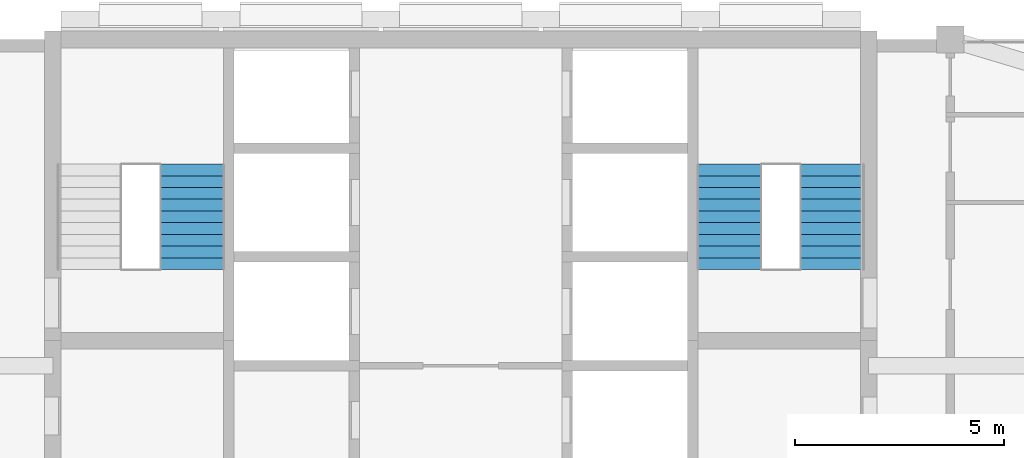
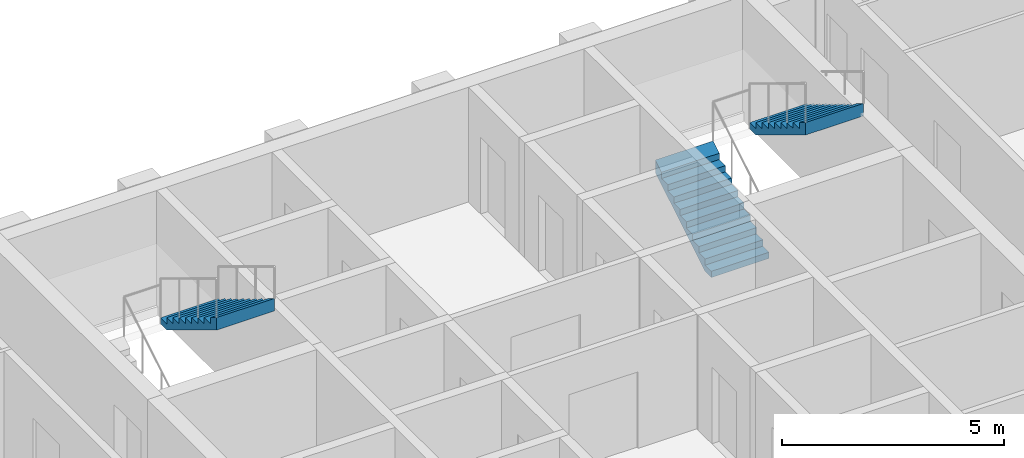
# One storey, part 16 of 19: 3 stair flights, 2 elements without a shape of their own.
"""IFC4 building model written with IfcOpenShell, lengths in metres."""

from ifc_helpers import new_model, si_unit, direction, frame, origin, place, context, subcontext, project, spatial, triangles, material, type_object, element, aggregate, save


model = new_model("IFC4")

# Units and contexts
model_context = context("Model", 3, precision=1e-05, world=origin(), true_north=direction((0.0, 1.0)))
body_context = subcontext(model_context, "Body", "Model", "MODEL_VIEW")
ifc_project = project(units=[si_unit("LENGTHUNIT", "METRE"), si_unit("AREAUNIT", "SQUARE_METRE"), si_unit("VOLUMEUNIT", "CUBIC_METRE"), si_unit("PLANEANGLEUNIT", "RADIAN"), si_unit("MASSUNIT", "GRAM", prefix="KILO")], contexts=[model_context])

# Site, building, storey
site_placement = place(None, origin())
site = spatial("IfcSite", under=ifc_project, at=site_placement, CompositionType="ELEMENT")
building_placement = place(site_placement, origin())
building = spatial("IfcBuilding", under=site, at=building_placement, Name="Ludao Terraces", CompositionType="ELEMENT")
storey_placement = place(building_placement, frame((0.0, 0.0, 256.199951171875)))
storey = spatial("IfcBuildingStorey", under=building, at=storey_placement, Name="L70", CompositionType="ELEMENT", Elevation=256.199951171875)

# Stair, stair flight
ifc_material = material(Name="Concrete C40", Category="concrete")
stair_type = type_object("IfcStairType", Name="INT Stair", PredefinedType="HALF_TURN_STAIR", material=ifc_material)
stair_1_placement = place(storey_placement, origin())
stair_1 = element("IfcStair", 1, at=stair_1_placement, inside=storey, type_object=stair_type, Name="EXIT STAIR 1", PredefinedType="HALF_TURN_STAIR")
stair_flight_type = type_object("IfcStairFlightType", Name="INT Stair flight", PredefinedType="STRAIGHT", material=ifc_material)
stair_flight_1_placement = place(storey_placement, frame((78.574951171875, 81.52001953125, 1.699951171875), z_axis=(0.0, 0.0, 1.0), x_axis=(0.0, -1.0, 0.0)))
stair_flight_1 = element("IfcStairFlight", 2, at=stair_flight_1_placement, type_object=stair_flight_type, Name="ST1 flight 2", NumberOfRisers=10, NumberOfTreads=9, PredefinedType="STRAIGHT", RiserHeight=0.17, TreadLength=0.28, context=body_context, shape_type="Tessellation", body=[
    triangles([(0.0, -0.75, 0.0), (0.0, -0.5, 0.0), (0.0, -0.25, 0.0), (0.0, 0.0, 0.0), (0.0, 0.25, 0.0), (0.0, 0.5, 0.0), (0.0, 0.75, 0.0), (0.0, -0.75, 0.169921875), (0.0, -0.5, 0.169921875), (0.0, -0.25, 0.169921875), (0.0, 0.0, 0.169921875), (0.0, 0.25, 0.169921875), (0.0, 0.5, 0.169921875), (0.0, 0.75, 0.169921875), (0.280029296875, -0.75, 0.169921875), (0.280029296875, -0.5, 0.169921875), (0.280029296875, -0.25, 0.169921875), (0.280029296875, 0.0, 0.169921875), (0.280029296875, 0.25, 0.169921875), (0.280029296875, 0.5, 0.169921875), (0.280029296875, 0.75, 0.169921875), (0.280029296875, -0.75, 0.340087890625), (0.280029296875, -0.5, 0.340087890625), (0.280029296875, -0.25, 0.340087890625), (0.280029296875, 0.0, 0.340087890625), (0.280029296875, 0.25, 0.340087890625), (0.280029296875, 0.5, 0.340087890625), (0.280029296875, 0.75, 0.340087890625), (0.56005859375, -0.75, 0.340087890625), (0.56005859375, -0.5, 0.340087890625), (0.56005859375, -0.25, 0.340087890625), (0.56005859375, 0.0, 0.340087890625), (0.56005859375, 0.25, 0.340087890625), (0.56005859375, 0.5, 0.340087890625), (0.56005859375, 0.75, 0.340087890625), (0.56005859375, -0.75, 0.510009765625), (0.56005859375, -0.5, 0.510009765625), (0.56005859375, -0.25, 0.510009765625), (0.56005859375, 0.0, 0.510009765625), (0.56005859375, 0.25, 0.510009765625), (0.56005859375, 0.5, 0.510009765625), (0.56005859375, 0.75, 0.510009765625), (0.840087890625, -0.75, 0.510009765625), (0.840087890625, -0.5, 0.510009765625), (0.840087890625, -0.25, 0.510009765625), (0.840087890625, 0.0, 0.510009765625), (0.840087890625, 0.25, 0.510009765625), (0.840087890625, 0.5, 0.510009765625), (0.840087890625, 0.75, 0.510009765625), (0.840087890625, -0.75, 0.679931640625), (0.840087890625, -0.5, 0.679931640625), (0.840087890625, -0.25, 0.679931640625), (0.840087890625, 0.0, 0.679931640625), (0.840087890625, 0.25, 0.679931640625), (0.840087890625, 0.5, 0.679931640625), (0.840087890625, 0.75, 0.679931640625), (1.1201171875, -0.75, 0.679931640625), (1.1201171875, -0.5, 0.679931640625), (1.1201171875, -0.25, 0.679931640625), (1.1201171875, 0.0, 0.679931640625), (1.1201171875, 0.25, 0.679931640625), (1.1201171875, 0.5, 0.679931640625), (1.1201171875, 0.75, 0.679931640625), (1.1201171875, -0.75, 0.85009765625), (1.1201171875, -0.5, 0.85009765625), (1.1201171875, -0.25, 0.85009765625), (1.1201171875, 0.0, 0.85009765625), (1.1201171875, 0.25, 0.85009765625), (1.1201171875, 0.5, 0.85009765625), (1.1201171875, 0.75, 0.85009765625), (1.39990234375, -0.75, 0.85009765625), (1.39990234375, -0.5, 0.85009765625), (1.39990234375, -0.25, 0.85009765625), (1.39990234375, 0.0, 0.85009765625), (1.39990234375, 0.25, 0.85009765625), (1.39990234375, 0.5, 0.85009765625), (1.39990234375, 0.75, 0.85009765625), (1.39990234375, -0.75, 1.02001953125), (1.39990234375, -0.5, 1.02001953125), (1.39990234375, -0.25, 1.02001953125), (1.39990234375, 0.0, 1.02001953125), (1.39990234375, 0.25, 1.02001953125), (1.39990234375, 0.5, 1.02001953125), (1.39990234375, 0.75, 1.02001953125), (1.679931640625, -0.75, 1.02001953125), (1.679931640625, -0.5, 1.02001953125), (1.679931640625, -0.25, 1.02001953125), (1.679931640625, 0.0, 1.02001953125), (1.679931640625, 0.25, 1.02001953125), (1.679931640625, 0.5, 1.02001953125), (1.679931640625, 0.75, 1.02001953125), (1.679931640625, -0.75, 1.18994140625), (1.679931640625, -0.5, 1.18994140625), (1.679931640625, -0.25, 1.18994140625), (1.679931640625, 0.0, 1.18994140625), (1.679931640625, 0.25, 1.18994140625), (1.679931640625, 0.5, 1.18994140625), (1.679931640625, 0.75, 1.18994140625), (1.9599609375, -0.75, 1.18994140625), (1.9599609375, -0.5, 1.18994140625), (1.9599609375, -0.25, 1.18994140625), (1.9599609375, 0.0, 1.18994140625), (1.9599609375, 0.25, 1.18994140625), (1.9599609375, 0.5, 1.18994140625), (1.9599609375, 0.75, 1.18994140625), (1.9599609375, -0.75, 1.360107421875), (1.9599609375, -0.5, 1.360107421875), (1.9599609375, -0.25, 1.360107421875), (1.9599609375, 0.0, 1.360107421875), (1.9599609375, 0.25, 1.360107421875), (1.9599609375, 0.5, 1.360107421875), (1.9599609375, 0.75, 1.360107421875), (2.239990234375, -0.75, 1.360107421875), (2.239990234375, -0.5, 1.360107421875), (2.239990234375, -0.25, 1.360107421875), (2.239990234375, 0.0, 1.360107421875), (2.239990234375, 0.25, 1.360107421875), (2.239990234375, 0.5, 1.360107421875), (2.239990234375, 0.75, 1.360107421875), (2.239990234375, -0.75, 1.530029296875), (2.239990234375, -0.5, 1.530029296875), (2.239990234375, -0.25, 1.530029296875), (2.239990234375, 0.0, 1.530029296875), (2.239990234375, 0.25, 1.530029296875), (2.239990234375, 0.5, 1.530029296875), (2.239990234375, 0.75, 1.530029296875), (2.52001953125, -0.75, 1.699951171875), (2.52001953125, -0.5, 1.699951171875), (2.52001953125, -0.25, 1.699951171875), (2.52001953125, 0.0, 1.699951171875), (2.52001953125, 0.25, 1.699951171875), (2.52001953125, 0.5, 1.699951171875), (2.52001953125, 0.75, 1.699951171875), (2.52001953125, -0.75, 1.354736328125), (2.52001953125, -0.5, 1.354736328125), (2.52001953125, -0.25, 1.354736328125), (2.52001953125, 0.0, 1.354736328125), (2.52001953125, 0.25, 1.354736328125), (2.52001953125, 0.5, 1.354736328125), (2.52001953125, 0.75, 1.354736328125), (0.288818359375, -0.75, 0.0), (0.288818359375, -0.5, 0.0), (0.288818359375, -0.25, 0.0), (0.288818359375, 0.0, 0.0), (0.288818359375, 0.25, 0.0), (0.288818359375, 0.5, 0.0), (0.288818359375, 0.75, 0.0)], [[1, 141, 134], [7, 140, 147], [134, 127, 120], [140, 126, 133], [134, 120, 113], [140, 119, 126], [134, 113, 106], [140, 112, 119], [134, 106, 99], [140, 105, 112], [99, 92, 85], [105, 91, 98], [134, 99, 85], [140, 91, 105], [85, 78, 71], [91, 77, 84], [134, 85, 71], [140, 77, 91], [71, 64, 57], [77, 63, 70], [134, 71, 57], [140, 63, 77], [57, 50, 43], [63, 49, 56], [134, 57, 43], [140, 49, 63], [43, 36, 29], [49, 35, 42], [134, 43, 29], [140, 35, 49], [29, 22, 15], [35, 21, 28], [134, 29, 15], [140, 21, 35], [1, 134, 15], [7, 21, 140], [15, 8, 1], [21, 7, 14], [1, 9, 2], [1, 8, 9], [2, 10, 3], [2, 9, 10], [3, 11, 4], [3, 10, 11], [4, 12, 5], [4, 11, 12], [5, 13, 6], [5, 12, 13], [6, 14, 7], [6, 13, 14], [8, 16, 9], [8, 15, 16], [9, 17, 10], [9, 16, 17], [10, 18, 11], [10, 17, 18], [11, 19, 12], [11, 18, 19], [12, 20, 13], [12, 19, 20], [13, 21, 14], [13, 20, 21], [15, 23, 16], [15, 22, 23], [16, 24, 17], [16, 23, 24], [17, 25, 18], [17, 24, 25], [18, 26, 19], [18, 25, 26], [19, 27, 20], [19, 26, 27], [20, 28, 21], [20, 27, 28], [22, 30, 23], [22, 29, 30], [23, 31, 24], [23, 30, 31], [24, 32, 25], [24, 31, 32], [25, 33, 26], [25, 32, 33], [26, 34, 27], [26, 33, 34], [27, 35, 28], [27, 34, 35], [29, 37, 30], [29, 36, 37], [30, 38, 31], [30, 37, 38], [31, 39, 32], [31, 38, 39], [32, 40, 33], [32, 39, 40], [33, 41, 34], [33, 40, 41], [34, 42, 35], [34, 41, 42], [36, 44, 37], [36, 43, 44], [37, 45, 38], [37, 44, 45], [38, 46, 39], [38, 45, 46], [39, 47, 40], [39, 46, 47], [40, 48, 41], [40, 47, 48], [41, 49, 42], [41, 48, 49], [43, 51, 44], [43, 50, 51], [44, 52, 45], [44, 51, 52], [45, 53, 46], [45, 52, 53], [46, 54, 47], [46, 53, 54], [47, 55, 48], [47, 54, 55], [48, 56, 49], [48, 55, 56], [50, 58, 51], [50, 57, 58], [51, 59, 52], [51, 58, 59], [52, 60, 53], [52, 59, 60], [53, 61, 54], [53, 60, 61], [54, 62, 55], [54, 61, 62], [55, 63, 56], [55, 62, 63], [57, 65, 58], [57, 64, 65], [58, 66, 59], [58, 65, 66], [59, 67, 60], [59, 66, 67], [60, 68, 61], [60, 67, 68], [61, 69, 62], [61, 68, 69], [62, 70, 63], [62, 69, 70], [64, 72, 65], [64, 71, 72], [65, 73, 66], [65, 72, 73], [66, 74, 67], [66, 73, 74], [67, 75, 68], [67, 74, 75], [68, 76, 69], [68, 75, 76], [69, 77, 70], [69, 76, 77], [71, 79, 72], [71, 78, 79], [72, 80, 73], [72, 79, 80], [73, 81, 74], [73, 80, 81], [74, 82, 75], [74, 81, 82], [75, 83, 76], [75, 82, 83], [76, 84, 77], [76, 83, 84], [78, 86, 79], [78, 85, 86], [79, 87, 80], [79, 86, 87], [80, 88, 81], [80, 87, 88], [81, 89, 82], [81, 88, 89], [82, 90, 83], [82, 89, 90], [83, 91, 84], [83, 90, 91], [85, 93, 86], [85, 92, 93], [86, 94, 87], [86, 93, 94], [87, 95, 88], [87, 94, 95], [88, 96, 89], [88, 95, 96], [89, 97, 90], [89, 96, 97], [90, 98, 91], [90, 97, 98], [92, 100, 93], [92, 99, 100], [93, 101, 94], [93, 100, 101], [94, 102, 95], [94, 101, 102], [95, 103, 96], [95, 102, 103], [96, 104, 97], [96, 103, 104], [97, 105, 98], [97, 104, 105], [99, 107, 100], [99, 106, 107], [100, 108, 101], [100, 107, 108], [101, 109, 102], [101, 108, 109], [102, 110, 103], [102, 109, 110], [103, 111, 104], [103, 110, 111], [104, 112, 105], [104, 111, 112], [106, 114, 107], [106, 113, 114], [107, 115, 108], [107, 114, 115], [108, 116, 109], [108, 115, 116], [109, 117, 110], [109, 116, 117], [110, 118, 111], [110, 117, 118], [111, 119, 112], [111, 118, 119], [113, 121, 114], [113, 120, 121], [114, 122, 115], [114, 121, 122], [115, 123, 116], [115, 122, 123], [116, 124, 117], [116, 123, 124], [117, 125, 118], [117, 124, 125], [118, 126, 119], [118, 125, 126], [120, 128, 121], [120, 127, 128], [121, 129, 122], [121, 128, 129], [122, 130, 123], [122, 129, 130], [123, 131, 124], [123, 130, 131], [124, 132, 125], [124, 131, 132], [125, 133, 126], [125, 132, 133], [127, 135, 128], [127, 134, 135], [128, 136, 129], [128, 135, 136], [129, 137, 130], [129, 136, 137], [130, 138, 131], [130, 137, 138], [131, 139, 132], [131, 138, 139], [132, 140, 133], [132, 139, 140], [134, 142, 135], [134, 141, 142], [135, 143, 136], [135, 142, 143], [136, 144, 137], [136, 143, 144], [137, 145, 138], [137, 144, 145], [138, 146, 139], [138, 145, 146], [139, 147, 140], [139, 146, 147], [141, 2, 142], [141, 1, 2], [142, 3, 143], [142, 2, 3], [143, 4, 144], [143, 3, 4], [144, 5, 145], [144, 4, 5], [145, 6, 146], [145, 5, 6], [146, 7, 147], [146, 6, 7]], closed=True),
])
aggregate(stair_1, [stair_flight_1])

# Stair, stair flights
stair_2_placement = place(storey_placement, origin())
stair_2 = element("IfcStair", 3, at=stair_2_placement, inside=storey, type_object=stair_type, Name="EXIT STAIR 2", PredefinedType="HALF_TURN_STAIR")
stair_flight_2_placement = place(storey_placement, frame((91.425048828125, 79.0, 0.0), z_axis=(0.0, 0.0, 1.0), x_axis=(0.0, 1.0, 0.0)))
stair_flight_2 = element("IfcStairFlight", 4, at=stair_flight_2_placement, type_object=stair_flight_type, Name="ST2 flight 1", NumberOfRisers=10, NumberOfTreads=9, PredefinedType="STRAIGHT", RiserHeight=0.17, TreadLength=0.28, context=body_context, shape_type="Tessellation", body=[
    triangles([(0.0, -0.75, 0.0), (0.0, -0.5, 0.0), (0.0, -0.25, 0.0), (0.0, 0.0, 0.0), (0.0, 0.25, 0.0), (0.0, 0.5, 0.0), (0.0, 0.75, 0.0), (0.0, -0.75, 0.169921875), (0.0, -0.5, 0.169921875), (0.0, -0.25, 0.169921875), (0.0, 0.0, 0.169921875), (0.0, 0.25, 0.169921875), (0.0, 0.5, 0.169921875), (0.0, 0.75, 0.169921875), (0.280029296875, -0.75, 0.169921875), (0.280029296875, -0.5, 0.169921875), (0.280029296875, -0.25, 0.169921875), (0.280029296875, 0.0, 0.169921875), (0.280029296875, 0.25, 0.169921875), (0.280029296875, 0.5, 0.169921875), (0.280029296875, 0.75, 0.169921875), (0.280029296875, -0.75, 0.340087890625), (0.280029296875, -0.5, 0.340087890625), (0.280029296875, -0.25, 0.340087890625), (0.280029296875, 0.0, 0.340087890625), (0.280029296875, 0.25, 0.340087890625), (0.280029296875, 0.5, 0.340087890625), (0.280029296875, 0.75, 0.340087890625), (0.56005859375, -0.75, 0.340087890625), (0.56005859375, -0.5, 0.340087890625), (0.56005859375, -0.25, 0.340087890625), (0.56005859375, 0.0, 0.340087890625), (0.56005859375, 0.25, 0.340087890625), (0.56005859375, 0.5, 0.340087890625), (0.56005859375, 0.75, 0.340087890625), (0.56005859375, -0.75, 0.510009765625), (0.56005859375, -0.5, 0.510009765625), (0.56005859375, -0.25, 0.510009765625), (0.56005859375, 0.0, 0.510009765625), (0.56005859375, 0.25, 0.510009765625), (0.56005859375, 0.5, 0.510009765625), (0.56005859375, 0.75, 0.510009765625), (0.840087890625, -0.75, 0.510009765625), (0.840087890625, -0.5, 0.510009765625), (0.840087890625, -0.25, 0.510009765625), (0.840087890625, 0.0, 0.510009765625), (0.840087890625, 0.25, 0.510009765625), (0.840087890625, 0.5, 0.510009765625), (0.840087890625, 0.75, 0.510009765625), (0.840087890625, -0.75, 0.679931640625), (0.840087890625, -0.5, 0.679931640625), (0.840087890625, -0.25, 0.679931640625), (0.840087890625, 0.0, 0.679931640625), (0.840087890625, 0.25, 0.679931640625), (0.840087890625, 0.5, 0.679931640625), (0.840087890625, 0.75, 0.679931640625), (1.1201171875, -0.75, 0.679931640625), (1.1201171875, -0.5, 0.679931640625), (1.1201171875, -0.25, 0.679931640625), (1.1201171875, 0.0, 0.679931640625), (1.1201171875, 0.25, 0.679931640625), (1.1201171875, 0.5, 0.679931640625), (1.1201171875, 0.75, 0.679931640625), (1.1201171875, -0.75, 0.85009765625), (1.1201171875, -0.5, 0.85009765625), (1.1201171875, -0.25, 0.85009765625), (1.1201171875, 0.0, 0.85009765625), (1.1201171875, 0.25, 0.85009765625), (1.1201171875, 0.5, 0.85009765625), (1.1201171875, 0.75, 0.85009765625), (1.39990234375, -0.75, 0.85009765625), (1.39990234375, -0.5, 0.85009765625), (1.39990234375, -0.25, 0.85009765625), (1.39990234375, 0.0, 0.85009765625), (1.39990234375, 0.25, 0.85009765625), (1.39990234375, 0.5, 0.85009765625), (1.39990234375, 0.75, 0.85009765625), (1.39990234375, -0.75, 1.02001953125), (1.39990234375, -0.5, 1.02001953125), (1.39990234375, -0.25, 1.02001953125), (1.39990234375, 0.0, 1.02001953125), (1.39990234375, 0.25, 1.02001953125), (1.39990234375, 0.5, 1.02001953125), (1.39990234375, 0.75, 1.02001953125), (1.679931640625, -0.75, 1.02001953125), (1.679931640625, -0.5, 1.02001953125), (1.679931640625, -0.25, 1.02001953125), (1.679931640625, 0.0, 1.02001953125), (1.679931640625, 0.25, 1.02001953125), (1.679931640625, 0.5, 1.02001953125), (1.679931640625, 0.75, 1.02001953125), (1.679931640625, -0.75, 1.18994140625), (1.679931640625, -0.5, 1.18994140625), (1.679931640625, -0.25, 1.18994140625), (1.679931640625, 0.0, 1.18994140625), (1.679931640625, 0.25, 1.18994140625), (1.679931640625, 0.5, 1.18994140625), (1.679931640625, 0.75, 1.18994140625), (1.9599609375, -0.75, 1.18994140625), (1.9599609375, -0.5, 1.18994140625), (1.9599609375, -0.25, 1.18994140625), (1.9599609375, 0.0, 1.18994140625), (1.9599609375, 0.25, 1.18994140625), (1.9599609375, 0.5, 1.18994140625), (1.9599609375, 0.75, 1.18994140625), (1.9599609375, -0.75, 1.360107421875), (1.9599609375, -0.5, 1.360107421875), (1.9599609375, -0.25, 1.360107421875), (1.9599609375, 0.0, 1.360107421875), (1.9599609375, 0.25, 1.360107421875), (1.9599609375, 0.5, 1.360107421875), (1.9599609375, 0.75, 1.360107421875), (2.239990234375, -0.75, 1.360107421875), (2.239990234375, -0.5, 1.360107421875), (2.239990234375, -0.25, 1.360107421875), (2.239990234375, 0.0, 1.360107421875), (2.239990234375, 0.25, 1.360107421875), (2.239990234375, 0.5, 1.360107421875), (2.239990234375, 0.75, 1.360107421875), (2.239990234375, -0.75, 1.530029296875), (2.239990234375, -0.5, 1.530029296875), (2.239990234375, -0.25, 1.530029296875), (2.239990234375, 0.0, 1.530029296875), (2.239990234375, 0.25, 1.530029296875), (2.239990234375, 0.5, 1.530029296875), (2.239990234375, 0.75, 1.530029296875), (2.52001953125, -0.75, 1.699951171875), (2.52001953125, -0.5, 1.699951171875), (2.52001953125, -0.25, 1.699951171875), (2.52001953125, 0.0, 1.699951171875), (2.52001953125, 0.25, 1.699951171875), (2.52001953125, 0.5, 1.699951171875), (2.52001953125, 0.75, 1.699951171875), (2.52001953125, -0.75, 1.354736328125), (2.52001953125, -0.5, 1.354736328125), (2.52001953125, -0.25, 1.354736328125), (2.52001953125, 0.0, 1.354736328125), (2.52001953125, 0.25, 1.354736328125), (2.52001953125, 0.5, 1.354736328125), (2.52001953125, 0.75, 1.354736328125), (0.288818359375, -0.75, 0.0), (0.288818359375, -0.5, 0.0), (0.288818359375, -0.25, 0.0), (0.288818359375, 0.0, 0.0), (0.288818359375, 0.25, 0.0), (0.288818359375, 0.5, 0.0), (0.288818359375, 0.75, 0.0)], [[1, 141, 134], [7, 140, 147], [134, 127, 120], [140, 126, 133], [134, 120, 113], [140, 119, 126], [134, 113, 106], [140, 112, 119], [134, 106, 99], [140, 105, 112], [99, 92, 85], [105, 91, 98], [134, 99, 85], [140, 91, 105], [85, 78, 71], [91, 77, 84], [134, 85, 71], [140, 77, 91], [71, 64, 57], [77, 63, 70], [134, 71, 57], [140, 63, 77], [57, 50, 43], [63, 49, 56], [134, 57, 43], [140, 49, 63], [43, 36, 29], [49, 35, 42], [134, 43, 29], [140, 35, 49], [29, 22, 15], [35, 21, 28], [134, 29, 15], [140, 21, 35], [1, 134, 15], [7, 21, 140], [15, 8, 1], [21, 7, 14], [1, 9, 2], [1, 8, 9], [2, 10, 3], [2, 9, 10], [3, 11, 4], [3, 10, 11], [4, 12, 5], [4, 11, 12], [5, 13, 6], [5, 12, 13], [6, 14, 7], [6, 13, 14], [8, 16, 9], [8, 15, 16], [9, 17, 10], [9, 16, 17], [10, 18, 11], [10, 17, 18], [11, 19, 12], [11, 18, 19], [12, 20, 13], [12, 19, 20], [13, 21, 14], [13, 20, 21], [15, 23, 16], [15, 22, 23], [16, 24, 17], [16, 23, 24], [17, 25, 18], [17, 24, 25], [18, 26, 19], [18, 25, 26], [19, 27, 20], [19, 26, 27], [20, 28, 21], [20, 27, 28], [22, 30, 23], [22, 29, 30], [23, 31, 24], [23, 30, 31], [24, 32, 25], [24, 31, 32], [25, 33, 26], [25, 32, 33], [26, 34, 27], [26, 33, 34], [27, 35, 28], [27, 34, 35], [29, 37, 30], [29, 36, 37], [30, 38, 31], [30, 37, 38], [31, 39, 32], [31, 38, 39], [32, 40, 33], [32, 39, 40], [33, 41, 34], [33, 40, 41], [34, 42, 35], [34, 41, 42], [36, 44, 37], [36, 43, 44], [37, 45, 38], [37, 44, 45], [38, 46, 39], [38, 45, 46], [39, 47, 40], [39, 46, 47], [40, 48, 41], [40, 47, 48], [41, 49, 42], [41, 48, 49], [43, 51, 44], [43, 50, 51], [44, 52, 45], [44, 51, 52], [45, 53, 46], [45, 52, 53], [46, 54, 47], [46, 53, 54], [47, 55, 48], [47, 54, 55], [48, 56, 49], [48, 55, 56], [50, 58, 51], [50, 57, 58], [51, 59, 52], [51, 58, 59], [52, 60, 53], [52, 59, 60], [53, 61, 54], [53, 60, 61], [54, 62, 55], [54, 61, 62], [55, 63, 56], [55, 62, 63], [57, 65, 58], [57, 64, 65], [58, 66, 59], [58, 65, 66], [59, 67, 60], [59, 66, 67], [60, 68, 61], [60, 67, 68], [61, 69, 62], [61, 68, 69], [62, 70, 63], [62, 69, 70], [64, 72, 65], [64, 71, 72], [65, 73, 66], [65, 72, 73], [66, 74, 67], [66, 73, 74], [67, 75, 68], [67, 74, 75], [68, 76, 69], [68, 75, 76], [69, 77, 70], [69, 76, 77], [71, 79, 72], [71, 78, 79], [72, 80, 73], [72, 79, 80], [73, 81, 74], [73, 80, 81], [74, 82, 75], [74, 81, 82], [75, 83, 76], [75, 82, 83], [76, 84, 77], [76, 83, 84], [78, 86, 79], [78, 85, 86], [79, 87, 80], [79, 86, 87], [80, 88, 81], [80, 87, 88], [81, 89, 82], [81, 88, 89], [82, 90, 83], [82, 89, 90], [83, 91, 84], [83, 90, 91], [85, 93, 86], [85, 92, 93], [86, 94, 87], [86, 93, 94], [87, 95, 88], [87, 94, 95], [88, 96, 89], [88, 95, 96], [89, 97, 90], [89, 96, 97], [90, 98, 91], [90, 97, 98], [92, 100, 93], [92, 99, 100], [93, 101, 94], [93, 100, 101], [94, 102, 95], [94, 101, 102], [95, 103, 96], [95, 102, 103], [96, 104, 97], [96, 103, 104], [97, 105, 98], [97, 104, 105], [99, 107, 100], [99, 106, 107], [100, 108, 101], [100, 107, 108], [101, 109, 102], [101, 108, 109], [102, 110, 103], [102, 109, 110], [103, 111, 104], [103, 110, 111], [104, 112, 105], [104, 111, 112], [106, 114, 107], [106, 113, 114], [107, 115, 108], [107, 114, 115], [108, 116, 109], [108, 115, 116], [109, 117, 110], [109, 116, 117], [110, 118, 111], [110, 117, 118], [111, 119, 112], [111, 118, 119], [113, 121, 114], [113, 120, 121], [114, 122, 115], [114, 121, 122], [115, 123, 116], [115, 122, 123], [116, 124, 117], [116, 123, 124], [117, 125, 118], [117, 124, 125], [118, 126, 119], [118, 125, 126], [120, 128, 121], [120, 127, 128], [121, 129, 122], [121, 128, 129], [122, 130, 123], [122, 129, 130], [123, 131, 124], [123, 130, 131], [124, 132, 125], [124, 131, 132], [125, 133, 126], [125, 132, 133], [127, 135, 128], [127, 134, 135], [128, 136, 129], [128, 135, 136], [129, 137, 130], [129, 136, 137], [130, 138, 131], [130, 137, 138], [131, 139, 132], [131, 138, 139], [132, 140, 133], [132, 139, 140], [134, 142, 135], [134, 141, 142], [135, 143, 136], [135, 142, 143], [136, 144, 137], [136, 143, 144], [137, 145, 138], [137, 144, 145], [138, 146, 139], [138, 145, 146], [139, 147, 140], [139, 146, 147], [141, 2, 142], [141, 1, 2], [142, 3, 143], [142, 2, 3], [143, 4, 144], [143, 3, 4], [144, 5, 145], [144, 4, 5], [145, 6, 146], [145, 5, 6], [146, 7, 147], [146, 6, 7]], closed=True),
])
stair_flight_3_placement = place(storey_placement, frame((93.875, 81.52001953125, 1.699951171875), z_axis=(0.0, 0.0, 1.0), x_axis=(0.0, -1.0, 0.0)))
stair_flight_3 = element("IfcStairFlight", 5, at=stair_flight_3_placement, type_object=stair_flight_type, Name="ST2 flight 2", NumberOfRisers=10, NumberOfTreads=9, PredefinedType="STRAIGHT", RiserHeight=0.17, TreadLength=0.28, context=body_context, shape_type="Tessellation", body=[
    triangles([(0.0, -0.75, 0.0), (0.0, -0.5, 0.0), (0.0, -0.25, 0.0), (0.0, 0.0, 0.0), (0.0, 0.25, 0.0), (0.0, 0.5, 0.0), (0.0, 0.75, 0.0), (0.0, -0.75, 0.169921875), (0.0, -0.5, 0.169921875), (0.0, -0.25, 0.169921875), (0.0, 0.0, 0.169921875), (0.0, 0.25, 0.169921875), (0.0, 0.5, 0.169921875), (0.0, 0.75, 0.169921875), (0.280029296875, -0.75, 0.169921875), (0.280029296875, -0.5, 0.169921875), (0.280029296875, -0.25, 0.169921875), (0.280029296875, 0.0, 0.169921875), (0.280029296875, 0.25, 0.169921875), (0.280029296875, 0.5, 0.169921875), (0.280029296875, 0.75, 0.169921875), (0.280029296875, -0.75, 0.340087890625), (0.280029296875, -0.5, 0.340087890625), (0.280029296875, -0.25, 0.340087890625), (0.280029296875, 0.0, 0.340087890625), (0.280029296875, 0.25, 0.340087890625), (0.280029296875, 0.5, 0.340087890625), (0.280029296875, 0.75, 0.340087890625), (0.56005859375, -0.75, 0.340087890625), (0.56005859375, -0.5, 0.340087890625), (0.56005859375, -0.25, 0.340087890625), (0.56005859375, 0.0, 0.340087890625), (0.56005859375, 0.25, 0.340087890625), (0.56005859375, 0.5, 0.340087890625), (0.56005859375, 0.75, 0.340087890625), (0.56005859375, -0.75, 0.510009765625), (0.56005859375, -0.5, 0.510009765625), (0.56005859375, -0.25, 0.510009765625), (0.56005859375, 0.0, 0.510009765625), (0.56005859375, 0.25, 0.510009765625), (0.56005859375, 0.5, 0.510009765625), (0.56005859375, 0.75, 0.510009765625), (0.840087890625, -0.75, 0.510009765625), (0.840087890625, -0.5, 0.510009765625), (0.840087890625, -0.25, 0.510009765625), (0.840087890625, 0.0, 0.510009765625), (0.840087890625, 0.25, 0.510009765625), (0.840087890625, 0.5, 0.510009765625), (0.840087890625, 0.75, 0.510009765625), (0.840087890625, -0.75, 0.679931640625), (0.840087890625, -0.5, 0.679931640625), (0.840087890625, -0.25, 0.679931640625), (0.840087890625, 0.0, 0.679931640625), (0.840087890625, 0.25, 0.679931640625), (0.840087890625, 0.5, 0.679931640625), (0.840087890625, 0.75, 0.679931640625), (1.1201171875, -0.75, 0.679931640625), (1.1201171875, -0.5, 0.679931640625), (1.1201171875, -0.25, 0.679931640625), (1.1201171875, 0.0, 0.679931640625), (1.1201171875, 0.25, 0.679931640625), (1.1201171875, 0.5, 0.679931640625), (1.1201171875, 0.75, 0.679931640625), (1.1201171875, -0.75, 0.85009765625), (1.1201171875, -0.5, 0.85009765625), (1.1201171875, -0.25, 0.85009765625), (1.1201171875, 0.0, 0.85009765625), (1.1201171875, 0.25, 0.85009765625), (1.1201171875, 0.5, 0.85009765625), (1.1201171875, 0.75, 0.85009765625), (1.39990234375, -0.75, 0.85009765625), (1.39990234375, -0.5, 0.85009765625), (1.39990234375, -0.25, 0.85009765625), (1.39990234375, 0.0, 0.85009765625), (1.39990234375, 0.25, 0.85009765625), (1.39990234375, 0.5, 0.85009765625), (1.39990234375, 0.75, 0.85009765625), (1.39990234375, -0.75, 1.02001953125), (1.39990234375, -0.5, 1.02001953125), (1.39990234375, -0.25, 1.02001953125), (1.39990234375, 0.0, 1.02001953125), (1.39990234375, 0.25, 1.02001953125), (1.39990234375, 0.5, 1.02001953125), (1.39990234375, 0.75, 1.02001953125), (1.679931640625, -0.75, 1.02001953125), (1.679931640625, -0.5, 1.02001953125), (1.679931640625, -0.25, 1.02001953125), (1.679931640625, 0.0, 1.02001953125), (1.679931640625, 0.25, 1.02001953125), (1.679931640625, 0.5, 1.02001953125), (1.679931640625, 0.75, 1.02001953125), (1.679931640625, -0.75, 1.18994140625), (1.679931640625, -0.5, 1.18994140625), (1.679931640625, -0.25, 1.18994140625), (1.679931640625, 0.0, 1.18994140625), (1.679931640625, 0.25, 1.18994140625), (1.679931640625, 0.5, 1.18994140625), (1.679931640625, 0.75, 1.18994140625), (1.9599609375, -0.75, 1.18994140625), (1.9599609375, -0.5, 1.18994140625), (1.9599609375, -0.25, 1.18994140625), (1.9599609375, 0.0, 1.18994140625), (1.9599609375, 0.25, 1.18994140625), (1.9599609375, 0.5, 1.18994140625), (1.9599609375, 0.75, 1.18994140625), (1.9599609375, -0.75, 1.360107421875), (1.9599609375, -0.5, 1.360107421875), (1.9599609375, -0.25, 1.360107421875), (1.9599609375, 0.0, 1.360107421875), (1.9599609375, 0.25, 1.360107421875), (1.9599609375, 0.5, 1.360107421875), (1.9599609375, 0.75, 1.360107421875), (2.239990234375, -0.75, 1.360107421875), (2.239990234375, -0.5, 1.360107421875), (2.239990234375, -0.25, 1.360107421875), (2.239990234375, 0.0, 1.360107421875), (2.239990234375, 0.25, 1.360107421875), (2.239990234375, 0.5, 1.360107421875), (2.239990234375, 0.75, 1.360107421875), (2.239990234375, -0.75, 1.530029296875), (2.239990234375, -0.5, 1.530029296875), (2.239990234375, -0.25, 1.530029296875), (2.239990234375, 0.0, 1.530029296875), (2.239990234375, 0.25, 1.530029296875), (2.239990234375, 0.5, 1.530029296875), (2.239990234375, 0.75, 1.530029296875), (2.52001953125, -0.75, 1.699951171875), (2.52001953125, -0.5, 1.699951171875), (2.52001953125, -0.25, 1.699951171875), (2.52001953125, 0.0, 1.699951171875), (2.52001953125, 0.25, 1.699951171875), (2.52001953125, 0.5, 1.699951171875), (2.52001953125, 0.75, 1.699951171875), (2.52001953125, -0.75, 1.354736328125), (2.52001953125, -0.5, 1.354736328125), (2.52001953125, -0.25, 1.354736328125), (2.52001953125, 0.0, 1.354736328125), (2.52001953125, 0.25, 1.354736328125), (2.52001953125, 0.5, 1.354736328125), (2.52001953125, 0.75, 1.354736328125), (0.288818359375, -0.75, 0.0), (0.288818359375, -0.5, 0.0), (0.288818359375, -0.25, 0.0), (0.288818359375, 0.0, 0.0), (0.288818359375, 0.25, 0.0), (0.288818359375, 0.5, 0.0), (0.288818359375, 0.75, 0.0)], [[1, 141, 134], [7, 140, 147], [134, 127, 120], [140, 126, 133], [134, 120, 113], [140, 119, 126], [134, 113, 106], [140, 112, 119], [134, 106, 99], [140, 105, 112], [99, 92, 85], [105, 91, 98], [134, 99, 85], [140, 91, 105], [85, 78, 71], [91, 77, 84], [134, 85, 71], [140, 77, 91], [71, 64, 57], [77, 63, 70], [134, 71, 57], [140, 63, 77], [57, 50, 43], [63, 49, 56], [134, 57, 43], [140, 49, 63], [43, 36, 29], [49, 35, 42], [134, 43, 29], [140, 35, 49], [29, 22, 15], [35, 21, 28], [134, 29, 15], [140, 21, 35], [1, 134, 15], [7, 21, 140], [15, 8, 1], [21, 7, 14], [1, 9, 2], [1, 8, 9], [2, 10, 3], [2, 9, 10], [3, 11, 4], [3, 10, 11], [4, 12, 5], [4, 11, 12], [5, 13, 6], [5, 12, 13], [6, 14, 7], [6, 13, 14], [8, 16, 9], [8, 15, 16], [9, 17, 10], [9, 16, 17], [10, 18, 11], [10, 17, 18], [11, 19, 12], [11, 18, 19], [12, 20, 13], [12, 19, 20], [13, 21, 14], [13, 20, 21], [15, 23, 16], [15, 22, 23], [16, 24, 17], [16, 23, 24], [17, 25, 18], [17, 24, 25], [18, 26, 19], [18, 25, 26], [19, 27, 20], [19, 26, 27], [20, 28, 21], [20, 27, 28], [22, 30, 23], [22, 29, 30], [23, 31, 24], [23, 30, 31], [24, 32, 25], [24, 31, 32], [25, 33, 26], [25, 32, 33], [26, 34, 27], [26, 33, 34], [27, 35, 28], [27, 34, 35], [29, 37, 30], [29, 36, 37], [30, 38, 31], [30, 37, 38], [31, 39, 32], [31, 38, 39], [32, 40, 33], [32, 39, 40], [33, 41, 34], [33, 40, 41], [34, 42, 35], [34, 41, 42], [36, 44, 37], [36, 43, 44], [37, 45, 38], [37, 44, 45], [38, 46, 39], [38, 45, 46], [39, 47, 40], [39, 46, 47], [40, 48, 41], [40, 47, 48], [41, 49, 42], [41, 48, 49], [43, 51, 44], [43, 50, 51], [44, 52, 45], [44, 51, 52], [45, 53, 46], [45, 52, 53], [46, 54, 47], [46, 53, 54], [47, 55, 48], [47, 54, 55], [48, 56, 49], [48, 55, 56], [50, 58, 51], [50, 57, 58], [51, 59, 52], [51, 58, 59], [52, 60, 53], [52, 59, 60], [53, 61, 54], [53, 60, 61], [54, 62, 55], [54, 61, 62], [55, 63, 56], [55, 62, 63], [57, 65, 58], [57, 64, 65], [58, 66, 59], [58, 65, 66], [59, 67, 60], [59, 66, 67], [60, 68, 61], [60, 67, 68], [61, 69, 62], [61, 68, 69], [62, 70, 63], [62, 69, 70], [64, 72, 65], [64, 71, 72], [65, 73, 66], [65, 72, 73], [66, 74, 67], [66, 73, 74], [67, 75, 68], [67, 74, 75], [68, 76, 69], [68, 75, 76], [69, 77, 70], [69, 76, 77], [71, 79, 72], [71, 78, 79], [72, 80, 73], [72, 79, 80], [73, 81, 74], [73, 80, 81], [74, 82, 75], [74, 81, 82], [75, 83, 76], [75, 82, 83], [76, 84, 77], [76, 83, 84], [78, 86, 79], [78, 85, 86], [79, 87, 80], [79, 86, 87], [80, 88, 81], [80, 87, 88], [81, 89, 82], [81, 88, 89], [82, 90, 83], [82, 89, 90], [83, 91, 84], [83, 90, 91], [85, 93, 86], [85, 92, 93], [86, 94, 87], [86, 93, 94], [87, 95, 88], [87, 94, 95], [88, 96, 89], [88, 95, 96], [89, 97, 90], [89, 96, 97], [90, 98, 91], [90, 97, 98], [92, 100, 93], [92, 99, 100], [93, 101, 94], [93, 100, 101], [94, 102, 95], [94, 101, 102], [95, 103, 96], [95, 102, 103], [96, 104, 97], [96, 103, 104], [97, 105, 98], [97, 104, 105], [99, 107, 100], [99, 106, 107], [100, 108, 101], [100, 107, 108], [101, 109, 102], [101, 108, 109], [102, 110, 103], [102, 109, 110], [103, 111, 104], [103, 110, 111], [104, 112, 105], [104, 111, 112], [106, 114, 107], [106, 113, 114], [107, 115, 108], [107, 114, 115], [108, 116, 109], [108, 115, 116], [109, 117, 110], [109, 116, 117], [110, 118, 111], [110, 117, 118], [111, 119, 112], [111, 118, 119], [113, 121, 114], [113, 120, 121], [114, 122, 115], [114, 121, 122], [115, 123, 116], [115, 122, 123], [116, 124, 117], [116, 123, 124], [117, 125, 118], [117, 124, 125], [118, 126, 119], [118, 125, 126], [120, 128, 121], [120, 127, 128], [121, 129, 122], [121, 128, 129], [122, 130, 123], [122, 129, 130], [123, 131, 124], [123, 130, 131], [124, 132, 125], [124, 131, 132], [125, 133, 126], [125, 132, 133], [127, 135, 128], [127, 134, 135], [128, 136, 129], [128, 135, 136], [129, 137, 130], [129, 136, 137], [130, 138, 131], [130, 137, 138], [131, 139, 132], [131, 138, 139], [132, 140, 133], [132, 139, 140], [134, 142, 135], [134, 141, 142], [135, 143, 136], [135, 142, 143], [136, 144, 137], [136, 143, 144], [137, 145, 138], [137, 144, 145], [138, 146, 139], [138, 145, 146], [139, 147, 140], [139, 146, 147], [141, 2, 142], [141, 1, 2], [142, 3, 143], [142, 2, 3], [143, 4, 144], [143, 3, 4], [144, 5, 145], [144, 4, 5], [145, 6, 146], [145, 5, 6], [146, 7, 147], [146, 6, 7]], closed=True),
])
aggregate(stair_2, [stair_flight_2, stair_flight_3])

save(model, "model.ifc")
